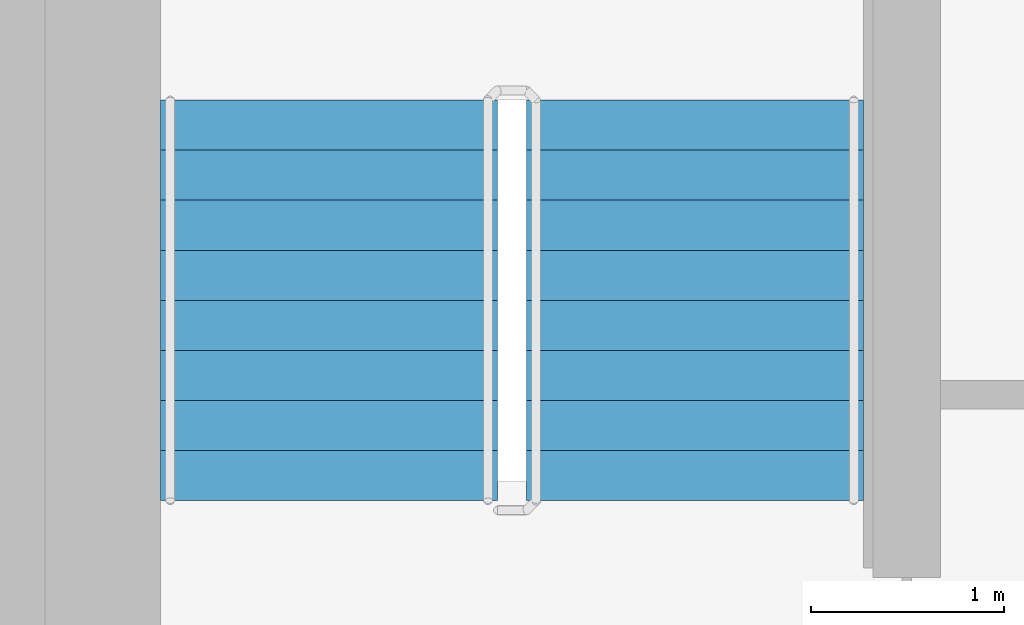
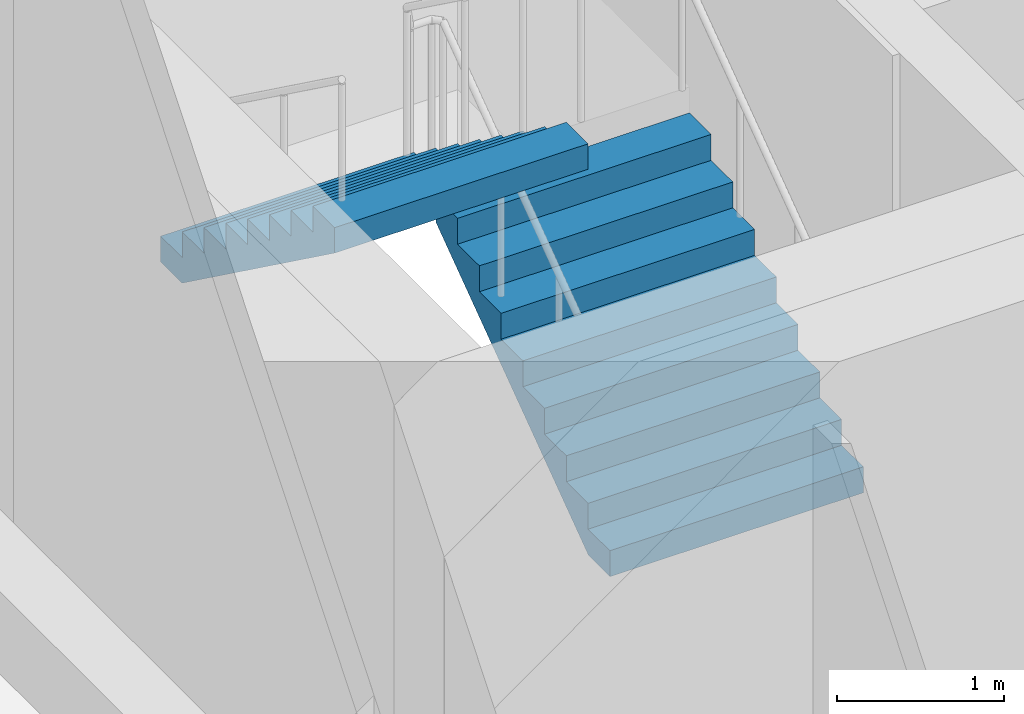
# One storey, part 15 of 18: 2 stair flights, 1 element without a shape of its own.
"""IFC4 building model written with IfcOpenShell, lengths in metres."""

from ifc_helpers import new_model, si_unit, direction, frame, origin, place, context, subcontext, project, spatial, faceted_brep, material, type_object, element, aggregate, save


model = new_model("IFC4")

# Units and contexts
model_context = context("Model", 3, precision=1e-05, world=origin(), true_north=direction((0.0, 1.0)))
body_context = subcontext(model_context, "Body", "Model", "MODEL_VIEW")
ifc_project = project(units=[si_unit("LENGTHUNIT", "METRE"), si_unit("AREAUNIT", "SQUARE_METRE"), si_unit("VOLUMEUNIT", "CUBIC_METRE"), si_unit("PLANEANGLEUNIT", "RADIAN"), si_unit("MASSUNIT", "GRAM", prefix="KILO")], contexts=[model_context])

# Site, building, storey
site_placement = place(None, origin())
site = spatial("IfcSite", under=ifc_project, at=site_placement, CompositionType="ELEMENT")
building_placement = place(site_placement, origin())
building = spatial("IfcBuilding", under=site, at=building_placement, Name="Ipe Terrace Towers", CompositionType="ELEMENT")
storey_placement = place(building_placement, frame((0.0, 0.0, 199.39990234375)))
storey = spatial("IfcBuildingStorey", under=building, at=storey_placement, Name="L55", CompositionType="ELEMENT", Elevation=199.39990234375)

# Stair, stair flights
ifc_material_1 = material(Name="Concrete C30/37", Category="concrete")
stair_type = type_object("IfcStairType", Name="Protected exit stair", PredefinedType="HALF_TURN_STAIR", material=ifc_material_1)
stair_placement = place(storey_placement, origin())
stair = element("IfcStair", 1, at=stair_placement, inside=storey, type_object=stair_type, Name="L55 Exit stair T2-C1", PredefinedType="HALF_TURN_STAIR")
ifc_material_2 = material(Name="Concrete C30/37", Category="concrete")
stair_flight_type = type_object("IfcStairFlightType", Name="Exit stair flight 1750", PredefinedType="STRAIGHT", material=ifc_material_2)
stair_flight_1_placement = place(storey_placement, frame((33.22509765625, 9.699951171875, 0.0), z_axis=(0.0, 0.0, 1.0), x_axis=(0.0, 1.0, 0.0)))
stair_flight_1 = element("IfcStairFlight", 2, at=stair_flight_1_placement, type_object=stair_flight_type, Name="T2-ST1 flight 1", NumberOfRisers=9, NumberOfTreads=8, PredefinedType="STRAIGHT", RiserHeight=0.188888889, TreadLength=0.26, context=body_context, shape_type="Brep", body=[
    faceted_brep([(0.255126953125, -0.875, 0.0), (2.080078125, -0.875, 1.325927734375), (2.080078125, -0.875, 1.51123046875), (1.820068359375, -0.875, 1.51123046875), (1.820068359375, -0.875, 1.322265625), (1.56005859375, -0.875, 1.322265625), (1.56005859375, -0.875, 1.13330078125), (1.300048828125, -0.875, 1.13330078125), (1.300048828125, -0.875, 0.9443359375), (1.0400390625, -0.875, 0.9443359375), (1.0400390625, -0.875, 0.755615234375), (0.780029296875, -0.875, 0.755615234375), (0.780029296875, -0.875, 0.566650390625), (0.52001953125, -0.875, 0.566650390625), (0.52001953125, -0.875, 0.377685546875), (0.260009765625, -0.875, 0.377685546875), (0.260009765625, -0.875, 0.18896484375), (0.0, -0.875, 0.18896484375), (0.0, -0.875, 0.0), (0.0, 0.875, 0.0), (0.0, 0.875, 0.18896484375), (0.260009765625, 0.875, 0.18896484375), (0.260009765625, 0.875, 0.377685546875), (0.52001953125, 0.875, 0.377685546875), (0.52001953125, 0.875, 0.566650390625), (0.780029296875, 0.875, 0.566650390625), (0.780029296875, 0.875, 0.755615234375), (1.0400390625, 0.875, 0.755615234375), (1.0400390625, 0.875, 0.9443359375), (1.300048828125, 0.875, 0.9443359375), (1.300048828125, 0.875, 1.13330078125), (1.56005859375, 0.875, 1.13330078125), (1.56005859375, 0.875, 1.322265625), (1.820068359375, 0.875, 1.322265625), (1.820068359375, 0.875, 1.51123046875), (2.080078125, 0.875, 1.51123046875), (2.080078125, 0.875, 1.325927734375), (0.255126953125, 0.875, 0.0), (0.0, -0.300048828125, 0.18896484375), (0.0, -0.1201171875, 0.18896484375), (0.0, -0.06005859375, 0.18896484375), (0.0, -0.030029296875, 0.18896484375), (0.0, -0.010009765625, 0.18896484375), (0.0, 0.0, 0.18896484375), (0.0, 0.010009765625, 0.18896484375), (0.0, 0.030029296875, 0.18896484375), (0.0, 0.06005859375, 0.18896484375), (0.0, 0.1201171875, 0.18896484375), (0.0, 0.300048828125, 0.18896484375), (0.0, 0.300048828125, 0.0), (0.0, 0.1201171875, 0.0), (0.0, 0.06005859375, 0.0), (0.0, 0.030029296875, 0.0), (0.0, 0.010009765625, 0.0), (0.0, 0.0, 0.0), (0.0, -0.010009765625, 0.0), (0.0, -0.030029296875, 0.0), (0.0, -0.06005859375, 0.0), (0.0, -0.1201171875, 0.0), (0.0, -0.300048828125, 0.0), (0.260009765625, -0.300048828125, 0.18896484375), (0.260009765625, -0.1201171875, 0.18896484375), (0.260009765625, -0.06005859375, 0.18896484375), (0.260009765625, -0.030029296875, 0.18896484375), (0.260009765625, -0.010009765625, 0.18896484375), (0.260009765625, 0.0, 0.18896484375), (0.260009765625, 0.010009765625, 0.18896484375), (0.260009765625, 0.030029296875, 0.18896484375), (0.260009765625, 0.06005859375, 0.18896484375), (0.260009765625, 0.1201171875, 0.18896484375), (0.260009765625, 0.300048828125, 0.18896484375), (0.260009765625, -0.300048828125, 0.377685546875), (0.260009765625, -0.1201171875, 0.377685546875), (0.260009765625, -0.06005859375, 0.377685546875), (0.260009765625, -0.030029296875, 0.377685546875), (0.260009765625, -0.010009765625, 0.377685546875), (0.260009765625, 0.0, 0.377685546875), (0.260009765625, 0.010009765625, 0.377685546875), (0.260009765625, 0.030029296875, 0.377685546875), (0.260009765625, 0.06005859375, 0.377685546875), (0.260009765625, 0.1201171875, 0.377685546875), (0.260009765625, 0.300048828125, 0.377685546875), (0.52001953125, -0.300048828125, 0.377685546875), (0.52001953125, -0.1201171875, 0.377685546875), (0.52001953125, -0.06005859375, 0.377685546875), (0.52001953125, -0.030029296875, 0.377685546875), (0.52001953125, -0.010009765625, 0.377685546875), (0.52001953125, 0.0, 0.377685546875), (0.52001953125, 0.010009765625, 0.377685546875), (0.52001953125, 0.030029296875, 0.377685546875), (0.52001953125, 0.06005859375, 0.377685546875), (0.52001953125, 0.1201171875, 0.377685546875), (0.52001953125, 0.300048828125, 0.377685546875), (0.52001953125, -0.300048828125, 0.566650390625), (0.52001953125, -0.1201171875, 0.566650390625), (0.52001953125, -0.06005859375, 0.566650390625), (0.52001953125, -0.030029296875, 0.566650390625), (0.52001953125, -0.010009765625, 0.566650390625), (0.52001953125, 0.0, 0.566650390625), (0.52001953125, 0.010009765625, 0.566650390625), (0.52001953125, 0.030029296875, 0.566650390625), (0.52001953125, 0.06005859375, 0.566650390625), (0.52001953125, 0.1201171875, 0.566650390625), (0.52001953125, 0.300048828125, 0.566650390625), (0.780029296875, -0.300048828125, 0.566650390625), (0.780029296875, -0.1201171875, 0.566650390625), (0.780029296875, -0.06005859375, 0.566650390625), (0.780029296875, -0.030029296875, 0.566650390625), (0.780029296875, -0.010009765625, 0.566650390625), (0.780029296875, 0.0, 0.566650390625), (0.780029296875, 0.010009765625, 0.566650390625), (0.780029296875, 0.030029296875, 0.566650390625), (0.780029296875, 0.06005859375, 0.566650390625), (0.780029296875, 0.1201171875, 0.566650390625), (0.780029296875, 0.300048828125, 0.566650390625), (0.780029296875, -0.300048828125, 0.755615234375), (0.780029296875, -0.1201171875, 0.755615234375), (0.780029296875, -0.06005859375, 0.755615234375), (0.780029296875, -0.030029296875, 0.755615234375), (0.780029296875, -0.010009765625, 0.755615234375), (0.780029296875, 0.0, 0.755615234375), (0.780029296875, 0.010009765625, 0.755615234375), (0.780029296875, 0.030029296875, 0.755615234375), (0.780029296875, 0.06005859375, 0.755615234375), (0.780029296875, 0.1201171875, 0.755615234375), (0.780029296875, 0.300048828125, 0.755615234375), (1.0400390625, -0.300048828125, 0.755615234375), (1.0400390625, -0.1201171875, 0.755615234375), (1.0400390625, -0.06005859375, 0.755615234375), (1.0400390625, -0.030029296875, 0.755615234375), (1.0400390625, -0.010009765625, 0.755615234375), (1.0400390625, 0.0, 0.755615234375), (1.0400390625, 0.010009765625, 0.755615234375), (1.0400390625, 0.030029296875, 0.755615234375), (1.0400390625, 0.06005859375, 0.755615234375), (1.0400390625, 0.1201171875, 0.755615234375), (1.0400390625, 0.300048828125, 0.755615234375), (1.0400390625, -0.300048828125, 0.9443359375), (1.0400390625, -0.1201171875, 0.9443359375), (1.0400390625, -0.06005859375, 0.9443359375), (1.0400390625, -0.030029296875, 0.9443359375), (1.0400390625, -0.010009765625, 0.9443359375), (1.0400390625, 0.0, 0.9443359375), (1.0400390625, 0.010009765625, 0.9443359375), (1.0400390625, 0.030029296875, 0.9443359375), (1.0400390625, 0.06005859375, 0.9443359375), (1.0400390625, 0.1201171875, 0.9443359375), (1.0400390625, 0.300048828125, 0.9443359375), (1.300048828125, -0.300048828125, 0.9443359375), (1.300048828125, -0.1201171875, 0.9443359375), (1.300048828125, -0.06005859375, 0.9443359375), (1.300048828125, -0.030029296875, 0.9443359375), (1.300048828125, -0.010009765625, 0.9443359375), (1.300048828125, 0.0, 0.9443359375), (1.300048828125, 0.010009765625, 0.9443359375), (1.300048828125, 0.030029296875, 0.9443359375), (1.300048828125, 0.06005859375, 0.9443359375), (1.300048828125, 0.1201171875, 0.9443359375), (1.300048828125, 0.300048828125, 0.9443359375), (1.300048828125, -0.300048828125, 1.13330078125), (1.300048828125, -0.1201171875, 1.13330078125), (1.300048828125, -0.06005859375, 1.13330078125), (1.300048828125, -0.030029296875, 1.13330078125), (1.300048828125, -0.010009765625, 1.13330078125), (1.300048828125, 0.0, 1.13330078125), (1.300048828125, 0.010009765625, 1.13330078125), (1.300048828125, 0.030029296875, 1.13330078125), (1.300048828125, 0.06005859375, 1.13330078125), (1.300048828125, 0.1201171875, 1.13330078125), (1.300048828125, 0.300048828125, 1.13330078125), (1.56005859375, -0.300048828125, 1.13330078125), (1.56005859375, -0.1201171875, 1.13330078125), (1.56005859375, -0.06005859375, 1.13330078125), (1.56005859375, -0.030029296875, 1.13330078125), (1.56005859375, -0.010009765625, 1.13330078125), (1.56005859375, 0.0, 1.13330078125), (1.56005859375, 0.010009765625, 1.13330078125), (1.56005859375, 0.030029296875, 1.13330078125), (1.56005859375, 0.06005859375, 1.13330078125), (1.56005859375, 0.1201171875, 1.13330078125), (1.56005859375, 0.300048828125, 1.13330078125), (1.56005859375, -0.300048828125, 1.322265625), (1.56005859375, -0.1201171875, 1.322265625), (1.56005859375, -0.06005859375, 1.322265625), (1.56005859375, -0.030029296875, 1.322265625), (1.56005859375, -0.010009765625, 1.322265625), (1.56005859375, 0.0, 1.322265625), (1.56005859375, 0.010009765625, 1.322265625), (1.56005859375, 0.030029296875, 1.322265625), (1.56005859375, 0.06005859375, 1.322265625), (1.56005859375, 0.1201171875, 1.322265625), (1.56005859375, 0.300048828125, 1.322265625), (1.820068359375, -0.300048828125, 1.322265625), (1.820068359375, -0.1201171875, 1.322265625), (1.820068359375, -0.06005859375, 1.322265625), (1.820068359375, -0.030029296875, 1.322265625), (1.820068359375, -0.010009765625, 1.322265625), (1.820068359375, 0.0, 1.322265625), (1.820068359375, 0.010009765625, 1.322265625), (1.820068359375, 0.030029296875, 1.322265625), (1.820068359375, 0.06005859375, 1.322265625), (1.820068359375, 0.1201171875, 1.322265625), (1.820068359375, 0.300048828125, 1.322265625), (1.820068359375, -0.300048828125, 1.51123046875), (1.820068359375, -0.1201171875, 1.51123046875), (1.820068359375, -0.06005859375, 1.51123046875), (1.820068359375, -0.030029296875, 1.51123046875), (1.820068359375, -0.010009765625, 1.51123046875), (1.820068359375, 0.0, 1.51123046875), (1.820068359375, 0.010009765625, 1.51123046875), (1.820068359375, 0.030029296875, 1.51123046875), (1.820068359375, 0.06005859375, 1.51123046875), (1.820068359375, 0.1201171875, 1.51123046875), (1.820068359375, 0.300048828125, 1.51123046875), (2.080078125, -0.300048828125, 1.51123046875), (2.080078125, -0.1201171875, 1.51123046875), (2.080078125, -0.06005859375, 1.51123046875), (2.080078125, -0.030029296875, 1.51123046875), (2.080078125, -0.010009765625, 1.51123046875), (2.080078125, 0.0, 1.51123046875), (2.080078125, 0.010009765625, 1.51123046875), (2.080078125, 0.030029296875, 1.51123046875), (2.080078125, 0.06005859375, 1.51123046875), (2.080078125, 0.1201171875, 1.51123046875), (2.080078125, 0.300048828125, 1.51123046875), (2.080078125, -0.300048828125, 1.325927734375), (2.080078125, -0.1201171875, 1.325927734375), (2.080078125, -0.06005859375, 1.325927734375), (2.080078125, -0.030029296875, 1.325927734375), (2.080078125, -0.010009765625, 1.325927734375), (2.080078125, 0.0, 1.325927734375), (2.080078125, 0.010009765625, 1.325927734375), (2.080078125, 0.030029296875, 1.325927734375), (2.080078125, 0.06005859375, 1.325927734375), (2.080078125, 0.1201171875, 1.325927734375), (2.080078125, 0.300048828125, 1.325927734375), (0.255126953125, -0.300048828125, 0.0), (0.255126953125, -0.1201171875, 0.0), (0.255126953125, -0.06005859375, 0.0), (0.255126953125, -0.030029296875, 0.0), (0.255126953125, -0.010009765625, 0.0), (0.255126953125, 0.0, 0.0), (0.255126953125, 0.010009765625, 0.0), (0.255126953125, 0.030029296875, 0.0), (0.255126953125, 0.06005859375, 0.0), (0.255126953125, 0.1201171875, 0.0), (0.255126953125, 0.300048828125, 0.0)], [[[0, 1, 2, 3, 4, 5, 6, 7, 8, 9, 10, 11, 12, 13, 14, 15, 16, 17, 18]], [[19, 20, 21, 22, 23, 24, 25, 26, 27, 28, 29, 30, 31, 32, 33, 34, 35, 36, 37]], [[17, 38, 39, 40, 41, 42, 43, 44, 45, 46, 47, 48, 20, 19, 49, 50, 51, 52, 53, 54, 55, 56, 57, 58, 59, 18]], [[16, 60, 61, 62, 63, 64, 65, 66, 67, 68, 69, 70, 21, 20, 48, 47, 46, 45, 44, 43, 42, 41, 40, 39, 38, 17]], [[15, 71, 72, 73, 74, 75, 76, 77, 78, 79, 80, 81, 22, 21, 70, 69, 68, 67, 66, 65, 64, 63, 62, 61, 60, 16]], [[14, 82, 83, 84, 85, 86, 87, 88, 89, 90, 91, 92, 23, 22, 81, 80, 79, 78, 77, 76, 75, 74, 73, 72, 71, 15]], [[13, 93, 94, 95, 96, 97, 98, 99, 100, 101, 102, 103, 24, 23, 92, 91, 90, 89, 88, 87, 86, 85, 84, 83, 82, 14]], [[12, 104, 105, 106, 107, 108, 109, 110, 111, 112, 113, 114, 25, 24, 103, 102, 101, 100, 99, 98, 97, 96, 95, 94, 93, 13]], [[11, 115, 116, 117, 118, 119, 120, 121, 122, 123, 124, 125, 26, 25, 114, 113, 112, 111, 110, 109, 108, 107, 106, 105, 104, 12]], [[10, 126, 127, 128, 129, 130, 131, 132, 133, 134, 135, 136, 27, 26, 125, 124, 123, 122, 121, 120, 119, 118, 117, 116, 115, 11]], [[9, 137, 138, 139, 140, 141, 142, 143, 144, 145, 146, 147, 28, 27, 136, 135, 134, 133, 132, 131, 130, 129, 128, 127, 126, 10]], [[8, 148, 149, 150, 151, 152, 153, 154, 155, 156, 157, 158, 29, 28, 147, 146, 145, 144, 143, 142, 141, 140, 139, 138, 137, 9]], [[7, 159, 160, 161, 162, 163, 164, 165, 166, 167, 168, 169, 30, 29, 158, 157, 156, 155, 154, 153, 152, 151, 150, 149, 148, 8]], [[6, 170, 171, 172, 173, 174, 175, 176, 177, 178, 179, 180, 31, 30, 169, 168, 167, 166, 165, 164, 163, 162, 161, 160, 159, 7]], [[5, 181, 182, 183, 184, 185, 186, 187, 188, 189, 190, 191, 32, 31, 180, 179, 178, 177, 176, 175, 174, 173, 172, 171, 170, 6]], [[4, 192, 193, 194, 195, 196, 197, 198, 199, 200, 201, 202, 33, 32, 191, 190, 189, 188, 187, 186, 185, 184, 183, 182, 181, 5]], [[3, 203, 204, 205, 206, 207, 208, 209, 210, 211, 212, 213, 34, 33, 202, 201, 200, 199, 198, 197, 196, 195, 194, 193, 192, 4]], [[2, 214, 215, 216, 217, 218, 219, 220, 221, 222, 223, 224, 35, 34, 213, 212, 211, 210, 209, 208, 207, 206, 205, 204, 203, 3]], [[1, 225, 226, 227, 228, 229, 230, 231, 232, 233, 234, 235, 36, 35, 224, 223, 222, 221, 220, 219, 218, 217, 216, 215, 214, 2]], [[0, 236, 237, 238, 239, 240, 241, 242, 243, 244, 245, 246, 37, 36, 235, 234, 233, 232, 231, 230, 229, 228, 227, 226, 225, 1]], [[18, 59, 58, 57, 56, 55, 54, 53, 52, 51, 50, 49, 19, 37, 246, 245, 244, 243, 242, 241, 240, 239, 238, 237, 236, 0]]]),
])
stair_flight_2_placement = place(storey_placement, frame((31.324951171875, 11.780029296875, 1.7001953125), z_axis=(0.0, 0.0, 1.0), x_axis=(0.0, -1.0, 0.0)))
stair_flight_2 = element("IfcStairFlight", 3, at=stair_flight_2_placement, type_object=stair_flight_type, Name="T2-ST1 flight 2", NumberOfRisers=9, NumberOfTreads=8, PredefinedType="STRAIGHT", RiserHeight=0.188888889, TreadLength=0.26, context=body_context, shape_type="Brep", body=[
    faceted_brep([(0.255126953125, -0.875, 0.0), (2.080078125, -0.875, 1.325927734375), (2.080078125, -0.875, 1.51123046875), (1.820068359375, -0.875, 1.51123046875), (1.820068359375, -0.875, 1.322265625), (1.56005859375, -0.875, 1.322265625), (1.56005859375, -0.875, 1.13330078125), (1.300048828125, -0.875, 1.13330078125), (1.300048828125, -0.875, 0.9443359375), (1.0400390625, -0.875, 0.9443359375), (1.0400390625, -0.875, 0.755615234375), (0.780029296875, -0.875, 0.755615234375), (0.780029296875, -0.875, 0.566650390625), (0.52001953125, -0.875, 0.566650390625), (0.52001953125, -0.875, 0.377685546875), (0.260009765625, -0.875, 0.377685546875), (0.260009765625, -0.875, 0.18896484375), (0.0, -0.875, 0.18896484375), (0.0, -0.875, 0.0), (0.0, 0.875, 0.0), (0.0, 0.875, 0.18896484375), (0.260009765625, 0.875, 0.18896484375), (0.260009765625, 0.875, 0.377685546875), (0.52001953125, 0.875, 0.377685546875), (0.52001953125, 0.875, 0.566650390625), (0.780029296875, 0.875, 0.566650390625), (0.780029296875, 0.875, 0.755615234375), (1.0400390625, 0.875, 0.755615234375), (1.0400390625, 0.875, 0.9443359375), (1.300048828125, 0.875, 0.9443359375), (1.300048828125, 0.875, 1.13330078125), (1.56005859375, 0.875, 1.13330078125), (1.56005859375, 0.875, 1.322265625), (1.820068359375, 0.875, 1.322265625), (1.820068359375, 0.875, 1.51123046875), (2.080078125, 0.875, 1.51123046875), (2.080078125, 0.875, 1.325927734375), (0.255126953125, 0.875, 0.0), (0.0, -0.300048828125, 0.18896484375), (0.0, -0.1201171875, 0.18896484375), (0.0, -0.06005859375, 0.18896484375), (0.0, -0.030029296875, 0.18896484375), (0.0, -0.010009765625, 0.18896484375), (0.0, 0.0, 0.18896484375), (0.0, 0.010009765625, 0.18896484375), (0.0, 0.030029296875, 0.18896484375), (0.0, 0.06005859375, 0.18896484375), (0.0, 0.1201171875, 0.18896484375), (0.0, 0.300048828125, 0.18896484375), (0.0, 0.300048828125, 0.0), (0.0, 0.1201171875, 0.0), (0.0, 0.06005859375, 0.0), (0.0, 0.030029296875, 0.0), (0.0, 0.010009765625, 0.0), (0.0, 0.0, 0.0), (0.0, -0.010009765625, 0.0), (0.0, -0.030029296875, 0.0), (0.0, -0.06005859375, 0.0), (0.0, -0.1201171875, 0.0), (0.0, -0.300048828125, 0.0), (0.260009765625, -0.300048828125, 0.18896484375), (0.260009765625, -0.1201171875, 0.18896484375), (0.260009765625, -0.06005859375, 0.18896484375), (0.260009765625, -0.030029296875, 0.18896484375), (0.260009765625, -0.010009765625, 0.18896484375), (0.260009765625, 0.0, 0.18896484375), (0.260009765625, 0.010009765625, 0.18896484375), (0.260009765625, 0.030029296875, 0.18896484375), (0.260009765625, 0.06005859375, 0.18896484375), (0.260009765625, 0.1201171875, 0.18896484375), (0.260009765625, 0.300048828125, 0.18896484375), (0.260009765625, -0.300048828125, 0.377685546875), (0.260009765625, -0.1201171875, 0.377685546875), (0.260009765625, -0.06005859375, 0.377685546875), (0.260009765625, -0.030029296875, 0.377685546875), (0.260009765625, -0.010009765625, 0.377685546875), (0.260009765625, 0.0, 0.377685546875), (0.260009765625, 0.010009765625, 0.377685546875), (0.260009765625, 0.030029296875, 0.377685546875), (0.260009765625, 0.06005859375, 0.377685546875), (0.260009765625, 0.1201171875, 0.377685546875), (0.260009765625, 0.300048828125, 0.377685546875), (0.52001953125, -0.300048828125, 0.377685546875), (0.52001953125, -0.1201171875, 0.377685546875), (0.52001953125, -0.06005859375, 0.377685546875), (0.52001953125, -0.030029296875, 0.377685546875), (0.52001953125, -0.010009765625, 0.377685546875), (0.52001953125, 0.0, 0.377685546875), (0.52001953125, 0.010009765625, 0.377685546875), (0.52001953125, 0.030029296875, 0.377685546875), (0.52001953125, 0.06005859375, 0.377685546875), (0.52001953125, 0.1201171875, 0.377685546875), (0.52001953125, 0.300048828125, 0.377685546875), (0.52001953125, -0.300048828125, 0.566650390625), (0.52001953125, -0.1201171875, 0.566650390625), (0.52001953125, -0.06005859375, 0.566650390625), (0.52001953125, -0.030029296875, 0.566650390625), (0.52001953125, -0.010009765625, 0.566650390625), (0.52001953125, 0.0, 0.566650390625), (0.52001953125, 0.010009765625, 0.566650390625), (0.52001953125, 0.030029296875, 0.566650390625), (0.52001953125, 0.06005859375, 0.566650390625), (0.52001953125, 0.1201171875, 0.566650390625), (0.52001953125, 0.300048828125, 0.566650390625), (0.780029296875, -0.300048828125, 0.566650390625), (0.780029296875, -0.1201171875, 0.566650390625), (0.780029296875, -0.06005859375, 0.566650390625), (0.780029296875, -0.030029296875, 0.566650390625), (0.780029296875, -0.010009765625, 0.566650390625), (0.780029296875, 0.0, 0.566650390625), (0.780029296875, 0.010009765625, 0.566650390625), (0.780029296875, 0.030029296875, 0.566650390625), (0.780029296875, 0.06005859375, 0.566650390625), (0.780029296875, 0.1201171875, 0.566650390625), (0.780029296875, 0.300048828125, 0.566650390625), (0.780029296875, -0.300048828125, 0.755615234375), (0.780029296875, -0.1201171875, 0.755615234375), (0.780029296875, -0.06005859375, 0.755615234375), (0.780029296875, -0.030029296875, 0.755615234375), (0.780029296875, -0.010009765625, 0.755615234375), (0.780029296875, 0.0, 0.755615234375), (0.780029296875, 0.010009765625, 0.755615234375), (0.780029296875, 0.030029296875, 0.755615234375), (0.780029296875, 0.06005859375, 0.755615234375), (0.780029296875, 0.1201171875, 0.755615234375), (0.780029296875, 0.300048828125, 0.755615234375), (1.0400390625, -0.300048828125, 0.755615234375), (1.0400390625, -0.1201171875, 0.755615234375), (1.0400390625, -0.06005859375, 0.755615234375), (1.0400390625, -0.030029296875, 0.755615234375), (1.0400390625, -0.010009765625, 0.755615234375), (1.0400390625, 0.0, 0.755615234375), (1.0400390625, 0.010009765625, 0.755615234375), (1.0400390625, 0.030029296875, 0.755615234375), (1.0400390625, 0.06005859375, 0.755615234375), (1.0400390625, 0.1201171875, 0.755615234375), (1.0400390625, 0.300048828125, 0.755615234375), (1.0400390625, -0.300048828125, 0.9443359375), (1.0400390625, -0.1201171875, 0.9443359375), (1.0400390625, -0.06005859375, 0.9443359375), (1.0400390625, -0.030029296875, 0.9443359375), (1.0400390625, -0.010009765625, 0.9443359375), (1.0400390625, 0.0, 0.9443359375), (1.0400390625, 0.010009765625, 0.9443359375), (1.0400390625, 0.030029296875, 0.9443359375), (1.0400390625, 0.06005859375, 0.9443359375), (1.0400390625, 0.1201171875, 0.9443359375), (1.0400390625, 0.300048828125, 0.9443359375), (1.300048828125, -0.300048828125, 0.9443359375), (1.300048828125, -0.1201171875, 0.9443359375), (1.300048828125, -0.06005859375, 0.9443359375), (1.300048828125, -0.030029296875, 0.9443359375), (1.300048828125, -0.010009765625, 0.9443359375), (1.300048828125, 0.0, 0.9443359375), (1.300048828125, 0.010009765625, 0.9443359375), (1.300048828125, 0.030029296875, 0.9443359375), (1.300048828125, 0.06005859375, 0.9443359375), (1.300048828125, 0.1201171875, 0.9443359375), (1.300048828125, 0.300048828125, 0.9443359375), (1.300048828125, -0.300048828125, 1.13330078125), (1.300048828125, -0.1201171875, 1.13330078125), (1.300048828125, -0.06005859375, 1.13330078125), (1.300048828125, -0.030029296875, 1.13330078125), (1.300048828125, -0.010009765625, 1.13330078125), (1.300048828125, 0.0, 1.13330078125), (1.300048828125, 0.010009765625, 1.13330078125), (1.300048828125, 0.030029296875, 1.13330078125), (1.300048828125, 0.06005859375, 1.13330078125), (1.300048828125, 0.1201171875, 1.13330078125), (1.300048828125, 0.300048828125, 1.13330078125), (1.56005859375, -0.300048828125, 1.13330078125), (1.56005859375, -0.1201171875, 1.13330078125), (1.56005859375, -0.06005859375, 1.13330078125), (1.56005859375, -0.030029296875, 1.13330078125), (1.56005859375, -0.010009765625, 1.13330078125), (1.56005859375, 0.0, 1.13330078125), (1.56005859375, 0.010009765625, 1.13330078125), (1.56005859375, 0.030029296875, 1.13330078125), (1.56005859375, 0.06005859375, 1.13330078125), (1.56005859375, 0.1201171875, 1.13330078125), (1.56005859375, 0.300048828125, 1.13330078125), (1.56005859375, -0.300048828125, 1.322265625), (1.56005859375, -0.1201171875, 1.322265625), (1.56005859375, -0.06005859375, 1.322265625), (1.56005859375, -0.030029296875, 1.322265625), (1.56005859375, -0.010009765625, 1.322265625), (1.56005859375, 0.0, 1.322265625), (1.56005859375, 0.010009765625, 1.322265625), (1.56005859375, 0.030029296875, 1.322265625), (1.56005859375, 0.06005859375, 1.322265625), (1.56005859375, 0.1201171875, 1.322265625), (1.56005859375, 0.300048828125, 1.322265625), (1.820068359375, -0.300048828125, 1.322265625), (1.820068359375, -0.1201171875, 1.322265625), (1.820068359375, -0.06005859375, 1.322265625), (1.820068359375, -0.030029296875, 1.322265625), (1.820068359375, -0.010009765625, 1.322265625), (1.820068359375, 0.0, 1.322265625), (1.820068359375, 0.010009765625, 1.322265625), (1.820068359375, 0.030029296875, 1.322265625), (1.820068359375, 0.06005859375, 1.322265625), (1.820068359375, 0.1201171875, 1.322265625), (1.820068359375, 0.300048828125, 1.322265625), (1.820068359375, -0.300048828125, 1.51123046875), (1.820068359375, -0.1201171875, 1.51123046875), (1.820068359375, -0.06005859375, 1.51123046875), (1.820068359375, -0.030029296875, 1.51123046875), (1.820068359375, -0.010009765625, 1.51123046875), (1.820068359375, 0.0, 1.51123046875), (1.820068359375, 0.010009765625, 1.51123046875), (1.820068359375, 0.030029296875, 1.51123046875), (1.820068359375, 0.06005859375, 1.51123046875), (1.820068359375, 0.1201171875, 1.51123046875), (1.820068359375, 0.300048828125, 1.51123046875), (2.080078125, -0.300048828125, 1.51123046875), (2.080078125, -0.1201171875, 1.51123046875), (2.080078125, -0.06005859375, 1.51123046875), (2.080078125, -0.030029296875, 1.51123046875), (2.080078125, -0.010009765625, 1.51123046875), (2.080078125, 0.0, 1.51123046875), (2.080078125, 0.010009765625, 1.51123046875), (2.080078125, 0.030029296875, 1.51123046875), (2.080078125, 0.06005859375, 1.51123046875), (2.080078125, 0.1201171875, 1.51123046875), (2.080078125, 0.300048828125, 1.51123046875), (2.080078125, -0.300048828125, 1.325927734375), (2.080078125, -0.1201171875, 1.325927734375), (2.080078125, -0.06005859375, 1.325927734375), (2.080078125, -0.030029296875, 1.325927734375), (2.080078125, -0.010009765625, 1.325927734375), (2.080078125, 0.0, 1.325927734375), (2.080078125, 0.010009765625, 1.325927734375), (2.080078125, 0.030029296875, 1.325927734375), (2.080078125, 0.06005859375, 1.325927734375), (2.080078125, 0.1201171875, 1.325927734375), (2.080078125, 0.300048828125, 1.325927734375), (0.255126953125, -0.300048828125, 0.0), (0.255126953125, -0.1201171875, 0.0), (0.255126953125, -0.06005859375, 0.0), (0.255126953125, -0.030029296875, 0.0), (0.255126953125, -0.010009765625, 0.0), (0.255126953125, 0.0, 0.0), (0.255126953125, 0.010009765625, 0.0), (0.255126953125, 0.030029296875, 0.0), (0.255126953125, 0.06005859375, 0.0), (0.255126953125, 0.1201171875, 0.0), (0.255126953125, 0.300048828125, 0.0)], [[[0, 1, 2, 3, 4, 5, 6, 7, 8, 9, 10, 11, 12, 13, 14, 15, 16, 17, 18]], [[19, 20, 21, 22, 23, 24, 25, 26, 27, 28, 29, 30, 31, 32, 33, 34, 35, 36, 37]], [[17, 38, 39, 40, 41, 42, 43, 44, 45, 46, 47, 48, 20, 19, 49, 50, 51, 52, 53, 54, 55, 56, 57, 58, 59, 18]], [[16, 60, 61, 62, 63, 64, 65, 66, 67, 68, 69, 70, 21, 20, 48, 47, 46, 45, 44, 43, 42, 41, 40, 39, 38, 17]], [[15, 71, 72, 73, 74, 75, 76, 77, 78, 79, 80, 81, 22, 21, 70, 69, 68, 67, 66, 65, 64, 63, 62, 61, 60, 16]], [[14, 82, 83, 84, 85, 86, 87, 88, 89, 90, 91, 92, 23, 22, 81, 80, 79, 78, 77, 76, 75, 74, 73, 72, 71, 15]], [[13, 93, 94, 95, 96, 97, 98, 99, 100, 101, 102, 103, 24, 23, 92, 91, 90, 89, 88, 87, 86, 85, 84, 83, 82, 14]], [[12, 104, 105, 106, 107, 108, 109, 110, 111, 112, 113, 114, 25, 24, 103, 102, 101, 100, 99, 98, 97, 96, 95, 94, 93, 13]], [[11, 115, 116, 117, 118, 119, 120, 121, 122, 123, 124, 125, 26, 25, 114, 113, 112, 111, 110, 109, 108, 107, 106, 105, 104, 12]], [[10, 126, 127, 128, 129, 130, 131, 132, 133, 134, 135, 136, 27, 26, 125, 124, 123, 122, 121, 120, 119, 118, 117, 116, 115, 11]], [[9, 137, 138, 139, 140, 141, 142, 143, 144, 145, 146, 147, 28, 27, 136, 135, 134, 133, 132, 131, 130, 129, 128, 127, 126, 10]], [[8, 148, 149, 150, 151, 152, 153, 154, 155, 156, 157, 158, 29, 28, 147, 146, 145, 144, 143, 142, 141, 140, 139, 138, 137, 9]], [[7, 159, 160, 161, 162, 163, 164, 165, 166, 167, 168, 169, 30, 29, 158, 157, 156, 155, 154, 153, 152, 151, 150, 149, 148, 8]], [[6, 170, 171, 172, 173, 174, 175, 176, 177, 178, 179, 180, 31, 30, 169, 168, 167, 166, 165, 164, 163, 162, 161, 160, 159, 7]], [[5, 181, 182, 183, 184, 185, 186, 187, 188, 189, 190, 191, 32, 31, 180, 179, 178, 177, 176, 175, 174, 173, 172, 171, 170, 6]], [[4, 192, 193, 194, 195, 196, 197, 198, 199, 200, 201, 202, 33, 32, 191, 190, 189, 188, 187, 186, 185, 184, 183, 182, 181, 5]], [[3, 203, 204, 205, 206, 207, 208, 209, 210, 211, 212, 213, 34, 33, 202, 201, 200, 199, 198, 197, 196, 195, 194, 193, 192, 4]], [[2, 214, 215, 216, 217, 218, 219, 220, 221, 222, 223, 224, 35, 34, 213, 212, 211, 210, 209, 208, 207, 206, 205, 204, 203, 3]], [[1, 225, 226, 227, 228, 229, 230, 231, 232, 233, 234, 235, 36, 35, 224, 223, 222, 221, 220, 219, 218, 217, 216, 215, 214, 2]], [[0, 236, 237, 238, 239, 240, 241, 242, 243, 244, 245, 246, 37, 36, 235, 234, 233, 232, 231, 230, 229, 228, 227, 226, 225, 1]], [[18, 59, 58, 57, 56, 55, 54, 53, 52, 51, 50, 49, 19, 37, 246, 245, 244, 243, 242, 241, 240, 239, 238, 237, 236, 0]]]),
])
aggregate(stair, [stair_flight_1, stair_flight_2])

save(model, "model.ifc")
